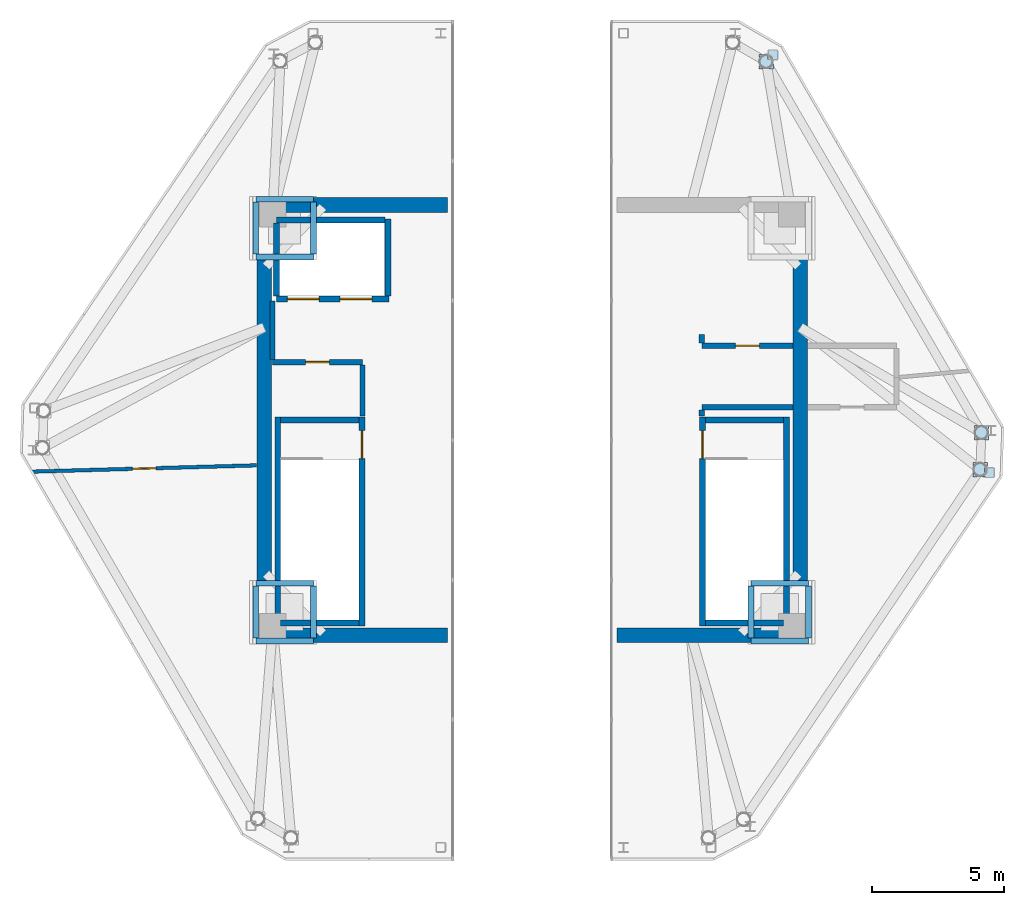
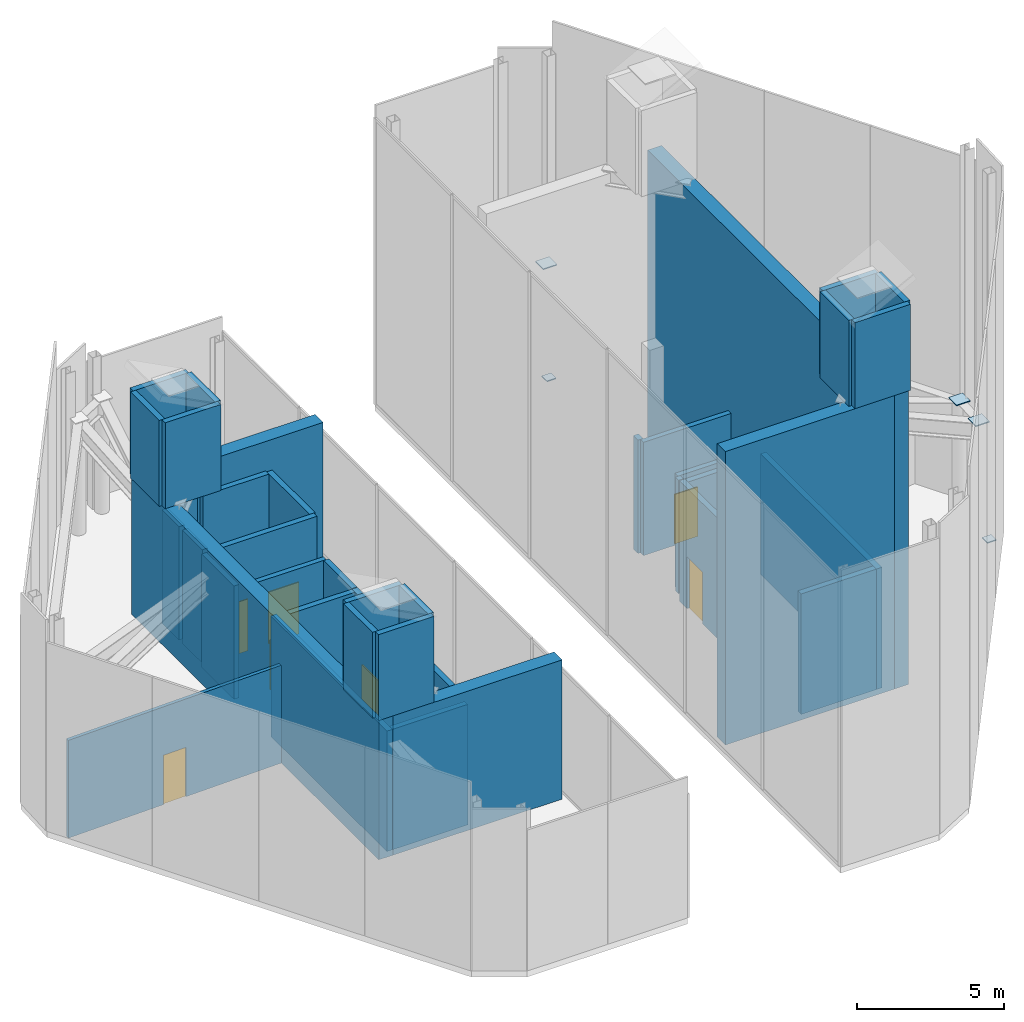
# One storey, part 7 of 9: 39 walls, 7 doors, 5 plates, 7 openings.
"""IFC4 building model written with IfcOpenShell, lengths in metres."""

from ifc_helpers import new_model, si_unit, direction, frame, frame_2d, origin, origin_2d, place, context, subcontext, project, spatial, rectangle, extrude, source, transform, mapped, material, layer, layer_set, type_object, type_shapes, element, fill, save


model = new_model("IFC4")

# Units and contexts
model_context = context("Model", 3, precision=1e-05, world=origin(), true_north=direction((0.0, 1.0)))
body_context = subcontext(model_context, "Body", "Model", "MODEL_VIEW")
ifc_project = project(units=[si_unit("LENGTHUNIT", "METRE"), si_unit("AREAUNIT", "SQUARE_METRE"), si_unit("VOLUMEUNIT", "CUBIC_METRE"), si_unit("PLANEANGLEUNIT", "RADIAN"), si_unit("MASSUNIT", "GRAM", prefix="KILO")], contexts=[model_context])

# Site, building, storey
site_placement = place(None, origin())
site = spatial("IfcSite", under=ifc_project, at=site_placement, CompositionType="ELEMENT")
building_placement = place(site_placement, origin())
building = spatial("IfcBuilding", under=site, at=building_placement, Name="Durnholm Broadcast Tower", CompositionType="ELEMENT")
storey_placement = place(building_placement, frame((0.0, 0.0, 287.0)))
storey = spatial("IfcBuildingStorey", under=building, at=storey_placement, Name="L79", CompositionType="ELEMENT", Elevation=287.0)

# Plates
ifc_material_1 = material(Name="Steel ASTM A572 Grade 50", Category="steel")
ifc_layer_1 = layer(ifc_material_1, 0.0400390625)
ifc_layer_set_1 = layer_set([ifc_layer_1], Name="Steel ASTM A572 Grade 50")
plate_type = type_object("IfcPlateType", Name="PLT-KN-CAP", PredefinedType="USERDEFINED", material=ifc_layer_set_1)
shared_shape_1 = source(origin(), body_context, "Body", "SweptSolid", [
    extrude(rectangle(XDim=0.5400390625, YDim=0.5400390625, at=origin_2d()), origin(), (0.0, 0.0, 1.0), 0.0400390625),
])
for number, where, z_axis, x_axis, name in (
    (1, (8.83740234375, 13.53759765625, 4.699951171875), (0.0, 0.0, 1.0), (1.0, 0.0, 0.0), "L79 hollow section end cap plate COL-TUBE-L79-07 2"),
    (2, (16.97021484375, -0.47607421875, 4.699951171875), (0.0, 0.0, 1.0), (1.0, 0.0, 0.0), "L79 hollow section end cap plate COL-TUBE-L79-08 2"),
    (3, (16.92236328125, -1.869873046875, 4.699951171875), (0.0, 0.0, 1.0), (1.0, 0.0, 0.0), "L79 hollow section end cap plate COL-TUBE-L79-09 2"),
):
    element("IfcPlate", number, at=place(storey_placement, frame(where, z_axis=z_axis, x_axis=x_axis)), inside=storey, type_object=plate_type, Name=name, ObjectType="CAP_PLATE", PredefinedType="USERDEFINED", context=body_context, shape_type="MappedRepresentation", body=[
        mapped(shared_shape_1, transform((0.0, 0.0, 0.0), x_axis=(1.0, 0.0, 0.0), y_axis=(0.0, 1.0, 0.0), z_axis=(0.0, 0.0, 1.0), scale=1.0)),
    ])
shared_shape_2 = source(origin(), body_context, "Body", "SweptSolid", [
    extrude(rectangle(XDim=0.360107421875, YDim=0.360107421875, at=origin_2d()), origin(), (0.0, 0.0, 1.0), 0.0400390625),
])
type_shapes(plate_type, [shared_shape_1, shared_shape_2])
for number, where, z_axis, x_axis, name in (
    (4, (17.268798828125, -1.982421875, -0.280029296875), (0.0, 0.0, 1.0), (1.0, 0.0, 0.0), "L79 hollow section base cap plate CF-POST-L79-E-5"),
    (5, (9.09326171875, 13.794189453125, -0.280029296875), (0.0, 0.0, 1.0), (1.0, 0.0, 0.0), "L79 hollow section base cap plate CF-POST-L79-E-7"),
):
    element("IfcPlate", number, at=place(storey_placement, frame(where, z_axis=z_axis, x_axis=x_axis)), inside=storey, type_object=plate_type, Name=name, ObjectType="CAP_PLATE", PredefinedType="USERDEFINED", context=body_context, shape_type="MappedRepresentation", body=[
        mapped(shared_shape_2, transform((0.0, 0.0, 0.0), x_axis=(1.0, 0.0, 0.0), y_axis=(0.0, 1.0, 0.0), z_axis=(0.0, 0.0, 1.0), scale=1.0)),
    ])

# Walls
ifc_material_2 = material(Name="Concrete C70/85", Category="concrete")
ifc_layer_2 = layer(ifc_material_2, 0.550048828125)
ifc_layer_set_2 = layer_set([ifc_layer_2], Name="Concrete C70/85")
wall_type_1 = type_object("IfcWallType", Name="WALL-CW-550", PredefinedType="SHEAR", material=ifc_layer_set_2)
wall_1_placement = place(storey_placement, frame((-10.125, -8.39990234375, 0.0), z_axis=(0.0, 0.0, 1.0), x_axis=(0.0, 1.0, 0.0)))
element("IfcWall", 6, at=wall_1_placement, inside=storey, type_object=wall_type_1, Name="L79 split-crown core shear wall WCW-W", PredefinedType="SHEAR", context=body_context, shape_type="SweptSolid", body=[
    extrude(rectangle(XDim=16.7998046875, YDim=0.550048828125, at=frame_2d((8.39990234375, 0.0))), origin(), (0.0, 0.0, 1.0), 5.780029296875),
])
wall_2_placement = place(storey_placement, frame((10.125, -8.39990234375, 0.0), z_axis=(0.0, 0.0, 1.0), x_axis=(0.0, 1.0, 0.0)))
element("IfcWall", 7, at=wall_2_placement, inside=storey, type_object=wall_type_1, Name="L79 split-crown core shear wall WCW-E", PredefinedType="SHEAR", context=body_context, shape_type="SweptSolid", body=[
    extrude(rectangle(XDim=16.7998046875, YDim=0.550048828125, at=frame_2d((8.39990234375, 0.0))), origin(), (0.0, 0.0, 1.0), 12.179931640625),
])
wall_3_placement = place(storey_placement, frame((-9.85009765625, -8.125, 0.0), z_axis=(0.0, 0.0, 1.0), x_axis=(1.0, 0.0, 0.0)))
element("IfcWall", 8, at=wall_3_placement, inside=storey, type_object=wall_type_1, Name="L79 split-crown core shear wall WCW-SW", PredefinedType="SHEAR", context=body_context, shape_type="SweptSolid", body=[
    extrude(rectangle(XDim=6.650146484375, YDim=0.550048828125, at=frame_2d((3.3251953125, 0.0))), origin(), (0.0, 0.0, 1.0), 5.780029296875),
])
wall_4_placement = place(storey_placement, frame((3.199951171875, -8.125, 0.0), z_axis=(0.0, 0.0, 1.0), x_axis=(1.0, 0.0, 0.0)))
element("IfcWall", 9, at=wall_4_placement, inside=storey, type_object=wall_type_1, Name="L79 split-crown core shear wall WCW-SE", PredefinedType="SHEAR", context=body_context, shape_type="SweptSolid", body=[
    extrude(rectangle(XDim=6.650146484375, YDim=0.550048828125, at=frame_2d((3.3251953125, 0.0))), origin(), (0.0, 0.0, 1.0), 12.179931640625),
])
wall_5_placement = place(storey_placement, frame((-9.85009765625, 8.125, 0.0), z_axis=(0.0, 0.0, 1.0), x_axis=(1.0, 0.0, 0.0)))
element("IfcWall", 10, at=wall_5_placement, inside=storey, type_object=wall_type_1, Name="L79 split-crown core shear wall WCW-NW", PredefinedType="SHEAR", context=body_context, shape_type="SweptSolid", body=[
    extrude(rectangle(XDim=6.650146484375, YDim=0.550048828125, at=frame_2d((3.3251953125, 0.0))), origin(), (0.0, 0.0, 1.0), 5.780029296875),
])

# Wall, opening, door
ifc_material_3 = material(Name="Fire-Rated Gypsum Shaftwall", Category="concrete")
ifc_layer_3 = layer(ifc_material_3, 0.199951171875)
ifc_layer_set_3 = layer_set([ifc_layer_3], Name="Fire-Rated Gypsum Shaftwall")
wall_type_2 = type_object("IfcWallType", Name="WALL-LOB-200", PredefinedType="SOLIDWALL", material=ifc_layer_set_3)
wall_6_placement = place(storey_placement, frame((-9.81005859375, 2.18994140625, 0.0), z_axis=(0.0, 0.0, 1.0), x_axis=(1.0, 0.0, 0.0)))
wall_6 = element("IfcWall", 11, at=wall_6_placement, inside=storey, type_object=wall_type_2, Name="L79 Crown Chiller and Heat Rejection Plant corridor partition", PredefinedType="SOLIDWALL", context=body_context, shape_type="SweptSolid", body=[
    extrude(rectangle(XDim=3.400146484375, YDim=0.199951171875, at=frame_2d((1.7001953125, 0.0))), origin(), (0.0, 0.0, 1.0), 4.705078125),
])
opening_1_placement = place(wall_6_placement, frame((1.25, 0.0, 0.0)))
opening_1 = element("IfcOpeningElement", 12, at=opening_1_placement, cuts=wall_6, Name="Opening DC-60L", PredefinedType="OPENING", context=body_context, shape_type="SweptSolid", body=[
    extrude(rectangle(XDim=0.89990234375, YDim=2.050048828125, at=frame_2d((0.449951171875, 1.02490234375))), frame((0.0, 0.10986328125, 0.0), z_axis=(0.0, -1.0, 0.0), x_axis=(1.0, 0.0, 0.0)), (0.0, 0.0, 1.0), 0.219970703125),
])
ifc_material_4 = material(Name="Fire-Rated Core Service Door", Category="steel")
ifc_layer_4 = layer(ifc_material_4, 0.050048828125)
ifc_layer_set_4 = layer_set([ifc_layer_4], Name="Fire-Rated Core Service Door")
door_type_1 = type_object("IfcDoorType", Name="DOOR-CORE-FD60-L", OperationType="NOTDEFINED", PredefinedType="DOOR", material=ifc_layer_set_4)
shared_shape_3 = source(origin(), body_context, "Body", "SweptSolid", [
    extrude(rectangle(XDim=0.89990234375, YDim=2.050048828125, at=frame_2d((0.449951171875, 1.02490234375))), frame((0.0, 0.02490234375, 0.0), z_axis=(0.0, -1.0, 0.0), x_axis=(1.0, 0.0, 0.0)), (0.0, 0.0, 1.0), 0.050048828125),
])
type_shapes(door_type_1, [shared_shape_3])
door_1_placement = place(opening_1_placement, origin())
door_1 = element("IfcDoor", 13, at=door_1_placement, inside=storey, type_object=door_type_1, Name="L79 Crown Chiller and Heat Rejection Plant entrance door", OperationType="SINGLE_SWING_LEFT", OverallHeight=2.050048828125, OverallWidth=0.89990234375, PredefinedType="DOOR", context=body_context, shape_type="MappedRepresentation", body=[
    mapped(shared_shape_3, transform((0.0, 0.0, 0.0), x_axis=(1.0, 0.0, 0.0), y_axis=(0.0, 1.0, 0.0), z_axis=(0.0, 0.0, 1.0), scale=1.0)),
])
fill(opening_1, door_1)

# Walls
wall_7_placement = place(storey_placement, frame((-9.81005859375, 4.489990234375, 0.0), z_axis=(0.0, 0.0, 1.0), x_axis=(0.0, -1.0, 0.0)))
element("IfcWall", 14, at=wall_7_placement, inside=storey, type_object=wall_type_2, Name="L79 Crown Chiller and Heat Rejection Plant corridor partition", PredefinedType="SOLIDWALL", context=body_context, shape_type="SweptSolid", body=[
    extrude(rectangle(XDim=2.196044921875, YDim=0.199951171875, at=frame_2d((1.09814453125, 0.0))), origin(), (0.0, 0.0, 1.0), 4.705078125),
])
wall_8_placement = place(storey_placement, frame((-6.409912109375, 2.0859375, 0.0), z_axis=(0.0, 0.0, 1.0), x_axis=(0.0, -1.0, 0.0)))
element("IfcWall", 15, at=wall_8_placement, inside=storey, type_object=wall_type_2, Name="L79 Crown Chiller and Heat Rejection Plant corridor partition", PredefinedType="SOLIDWALL", context=body_context, shape_type="SweptSolid", body=[
    extrude(rectangle(XDim=1.926025390625, YDim=0.199951171875, at=frame_2d((0.962890625, 0.0))), origin(), (0.0, 0.0, 1.0), 4.705078125),
])

# Wall, opening, door
wall_9_placement = place(storey_placement, frame((9.844970703125, 2.81005859375, 0.0), z_axis=(0.0, 0.0, 1.0), x_axis=(-1.0, 0.0, 0.0)))
wall_9 = element("IfcWall", 16, at=wall_9_placement, inside=storey, type_object=wall_type_2, Name="L79 Crown Electrical Switchgear Plant corridor partition", PredefinedType="SOLIDWALL", context=body_context, shape_type="SweptSolid", body=[
    extrude(rectangle(XDim=3.43505859375, YDim=0.199951171875, at=frame_2d((1.717529296875, 0.0))), origin(), (0.0, 0.0, 1.0), 4.705078125),
])
opening_2_placement = place(wall_9_placement, frame((1.267578125, 0.0, 0.0)))
opening_2 = element("IfcOpeningElement", 17, at=opening_2_placement, cuts=wall_9, Name="Opening DC-60R", PredefinedType="OPENING", context=body_context, shape_type="SweptSolid", body=[
    extrude(rectangle(XDim=0.89990234375, YDim=2.050048828125, at=frame_2d((0.449951171875, 1.02490234375))), frame((0.0, 0.10986328125, 0.0), z_axis=(0.0, -1.0, 0.0), x_axis=(1.0, 0.0, 0.0)), (0.0, 0.0, 1.0), 0.219970703125),
])
ifc_layer_5 = layer(ifc_material_4, 0.050048828125)
ifc_layer_set_5 = layer_set([ifc_layer_5], Name="Fire-Rated Core Service Door")
door_type_2 = type_object("IfcDoorType", Name="DOOR-CORE-FD60-R", OperationType="NOTDEFINED", PredefinedType="DOOR", material=ifc_layer_set_5)
shared_shape_4 = source(origin(), body_context, "Body", "SweptSolid", [
    extrude(rectangle(XDim=0.89990234375, YDim=2.050048828125, at=frame_2d((0.449951171875, 1.02490234375))), frame((0.0, 0.02490234375, 0.0), z_axis=(0.0, -1.0, 0.0), x_axis=(1.0, 0.0, 0.0)), (0.0, 0.0, 1.0), 0.050048828125),
])
type_shapes(door_type_2, [shared_shape_4])
door_2_placement = place(opening_2_placement, origin())
door_2 = element("IfcDoor", 18, at=door_2_placement, inside=storey, type_object=door_type_2, Name="L79 Crown Electrical Switchgear Plant entrance door", OperationType="SINGLE_SWING_RIGHT", OverallHeight=2.050048828125, OverallWidth=0.89990234375, PredefinedType="DOOR", context=body_context, shape_type="MappedRepresentation", body=[
    mapped(shared_shape_4, transform((0.0, 0.0, 0.0), x_axis=(1.0, 0.0, 0.0), y_axis=(0.0, 1.0, 0.0), z_axis=(0.0, 0.0, 1.0), scale=1.0)),
])
fill(opening_2, door_2)

# Walls
wall_10_placement = place(storey_placement, frame((6.409912109375, 2.9140625, 0.0), z_axis=(0.0, 0.0, 1.0), x_axis=(0.0, 1.0, 0.0)))
element("IfcWall", 19, at=wall_10_placement, inside=storey, type_object=wall_type_2, Name="L79 Crown Electrical Switchgear Plant corridor partition", PredefinedType="SOLIDWALL", context=body_context, shape_type="SweptSolid", body=[
    extrude(rectangle(XDim=0.325927734375, YDim=0.199951171875, at=frame_2d((0.1630859375, 0.0))), origin(), (0.0, 0.0, 1.0), 4.705078125),
])
wall_11_placement = place(storey_placement, frame((6.409912109375, 0.489990234375, 0.0), z_axis=(0.0, 0.0, 1.0), x_axis=(1.0, 0.0, 0.0)))
element("IfcWall", 20, at=wall_11_placement, inside=storey, type_object=wall_type_2, Name="L79 Crown Telecom Cooling Plant corridor partition", PredefinedType="SOLIDWALL", context=body_context, shape_type="SweptSolid", body=[
    extrude(rectangle(XDim=3.43505859375, YDim=0.199951171875, at=frame_2d((1.717529296875, 0.0))), origin(), (0.0, 0.0, 1.0), 4.705078125),
])
wall_12_placement = place(storey_placement, frame((6.409912109375, 0.159912109375, 0.0), z_axis=(0.0, 0.0, 1.0), x_axis=(0.0, 1.0, 0.0)))
element("IfcWall", 21, at=wall_12_placement, inside=storey, type_object=wall_type_2, Name="L79 Crown Telecom Cooling Plant corridor partition", PredefinedType="SOLIDWALL", context=body_context, shape_type="SweptSolid", body=[
    extrude(rectangle(XDim=0.22607421875, YDim=0.199951171875, at=frame_2d((0.113037109375, 0.0))), origin(), (0.0, 0.0, 1.0), 4.705078125),
])

# Wall, opening, door
ifc_material_5 = material(Name="Gypsum Metal Stud Partition", Category="concrete")
ifc_layer_6 = layer(ifc_material_5, 0.135009765625)
ifc_layer_set_6 = layer_set([ifc_layer_6], Name="Gypsum Metal Stud Partition")
wall_type_3 = type_object("IfcWallType", Name="WALL-PART-135", PredefinedType="PARTITIONING", material=ifc_layer_set_6)
wall_13_placement = place(storey_placement, frame((-10.405029296875, -1.7080078125, 0.0), z_axis=(0.0, 0.0, 1.0), x_axis=(-0.999607454952, -0.028016709362, 0.0)))
wall_13 = element("IfcWall", 22, at=wall_13_placement, inside=storey, type_object=wall_type_3, Name="L79 room dividing partition 1.2", PredefinedType="PARTITIONING", context=body_context, shape_type="SweptSolid", body=[
    extrude(rectangle(XDim=8.496337890625, YDim=0.135009765625, at=frame_2d((4.248046875, 0.0))), origin(), (0.0, 0.0, 1.0), 4.058837890625),
])
opening_3_placement = place(wall_13_placement, frame((3.798095703125, 0.0, 0.0)))
opening_3 = element("IfcOpeningElement", 23, at=opening_3_placement, cuts=wall_13, Name="Opening DW-90L", PredefinedType="OPENING", context=body_context, shape_type="SweptSolid", body=[
    extrude(rectangle(XDim=0.89990234375, YDim=2.050048828125, at=frame_2d((0.449951171875, 1.02490234375))), frame((0.0, 0.07763671875, 0.0), z_axis=(0.0, -1.0, 0.0), x_axis=(1.0, 0.0, 0.0)), (0.0, 0.0, 1.0), 0.155029296875),
])
ifc_material_6 = material(Name="Laminate Restroom Door", Category="steel")
ifc_layer_7 = layer(ifc_material_6, 0.050048828125)
ifc_layer_set_7 = layer_set([ifc_layer_7], Name="Laminate Restroom Door")
door_type_3 = type_object("IfcDoorType", Name="DOOR-WC-900L", OperationType="NOTDEFINED", PredefinedType="DOOR", material=ifc_layer_set_7)
shared_shape_5 = source(origin(), body_context, "Body", "SweptSolid", [
    extrude(rectangle(XDim=0.89990234375, YDim=2.050048828125, at=frame_2d((0.449951171875, 1.02490234375))), frame((0.0, 0.02490234375, 0.0), z_axis=(0.0, -1.0, 0.0), x_axis=(1.0, 0.0, 0.0)), (0.0, 0.0, 1.0), 0.050048828125),
])
type_shapes(door_type_3, [shared_shape_5])
door_3_placement = place(opening_3_placement, origin())
door_3 = element("IfcDoor", 24, at=door_3_placement, inside=storey, type_object=door_type_3, Name="L79 Crown Air Handling Fan Plant connecting door", OperationType="SINGLE_SWING_LEFT", OverallHeight=2.050048828125, OverallWidth=0.89990234375, PredefinedType="DOOR", context=body_context, shape_type="MappedRepresentation", body=[
    mapped(shared_shape_5, transform((0.0, 0.0, 0.0), x_axis=(1.0, 0.0, 0.0), y_axis=(0.0, 1.0, 0.0), z_axis=(0.0, 0.0, 1.0), scale=1.0)),
])
fill(opening_3, door_3)

# Wall, openings, doors
ifc_material_7 = material(Name="Concrete Blockwork C30/37", Category="masonry")
ifc_layer_8 = layer(ifc_material_7, 0.219970703125)
ifc_layer_set_8 = layer_set([ifc_layer_8], Name="Concrete Blockwork C30/37")
wall_type_4 = type_object("IfcWallType", Name="WALL-SHAFT-220", PredefinedType="SOLIDWALL", material=ifc_layer_set_8)
wall_14_placement = place(storey_placement, frame((-9.659912109375, 4.580078125, 0.0), z_axis=(0.0, 0.0, 1.0), x_axis=(1.0, 0.0, 0.0)))
wall_14 = element("IfcWall", 25, at=wall_14_placement, inside=storey, type_object=wall_type_4, Name="L79 crown FSAE hoistway front wall", PredefinedType="SOLIDWALL", context=body_context, shape_type="SweptSolid", body=[
    extrude(rectangle(XDim=4.260009765625, YDim=0.219970703125, at=frame_2d((2.1298828125, 0.0))), origin(), (0.0, 0.0, 1.0), 4.705078125),
])
opening_4_placement = place(wall_14_placement, frame((0.409912109375, 0.0, 0.0)))
opening_4 = element("IfcOpeningElement", 26, at=opening_4_placement, cuts=wall_14, Name="Opening LD-FSAE-2", PredefinedType="OPENING", context=body_context, shape_type="SweptSolid", body=[
    extrude(rectangle(XDim=1.199951171875, YDim=2.14990234375, at=frame_2d((0.60009765625, 1.074951171875))), frame((0.0, 0.1201171875, 0.0), z_axis=(0.0, -1.0, 0.0), x_axis=(1.0, 0.0, 0.0)), (0.0, 0.0, 1.0), 0.239990234375),
])
opening_5_placement = place(wall_14_placement, frame((2.409912109375, 0.0, 0.0)))
opening_5 = element("IfcOpeningElement", 27, at=opening_5_placement, cuts=wall_14, Name="Opening LD-FSAE-1", PredefinedType="OPENING", context=body_context, shape_type="SweptSolid", body=[
    extrude(rectangle(XDim=1.199951171875, YDim=2.14990234375, at=frame_2d((0.60009765625, 1.074951171875))), frame((0.0, 0.1201171875, 0.0), z_axis=(0.0, -1.0, 0.0), x_axis=(1.0, 0.0, 0.0)), (0.0, 0.0, 1.0), 0.239990234375),
])
ifc_material_8 = material(Name="Fire Service Access Sliding Landing Door", Category="steel")
ifc_layer_9 = layer(ifc_material_8, 0.050048828125)
ifc_layer_set_9 = layer_set([ifc_layer_9], Name="Fire Service Access Sliding Landing Door")
door_type_4 = type_object("IfcDoorType", Name="DOOR-LIFT-FSAE", OperationType="DOUBLE_DOOR_SLIDING", PredefinedType="DOOR", material=ifc_layer_set_9)
shared_shape_6 = source(origin(), body_context, "Body", "SweptSolid", [
    extrude(rectangle(XDim=1.199951171875, YDim=2.14990234375, at=frame_2d((0.60009765625, 1.074951171875))), frame((0.0, 0.02490234375, 0.0), z_axis=(0.0, -1.0, 0.0), x_axis=(1.0, 0.0, 0.0)), (0.0, 0.0, 1.0), 0.050048828125),
])
type_shapes(door_type_4, [shared_shape_6])
door_4_placement = place(opening_4_placement, origin())
door_4 = element("IfcDoor", 28, at=door_4_placement, inside=storey, type_object=door_type_4, Name="L79 crown Fire Service Access Elevator FSAE-2 sliding landing door", OperationType="DOUBLE_DOOR_SLIDING", OverallHeight=2.14990234375, OverallWidth=1.199951171875, PredefinedType="DOOR", context=body_context, shape_type="MappedRepresentation", body=[
    mapped(shared_shape_6, transform((0.0, 0.0, 0.0), x_axis=(1.0, 0.0, 0.0), y_axis=(0.0, 1.0, 0.0), z_axis=(0.0, 0.0, 1.0), scale=1.0)),
])
fill(opening_4, door_4)
door_5_placement = place(opening_5_placement, origin())
door_5 = element("IfcDoor", 29, at=door_5_placement, inside=storey, type_object=door_type_4, Name="L79 crown Fire Service Access Elevator FSAE-1 sliding landing door", OperationType="DOUBLE_DOOR_SLIDING", OverallHeight=2.14990234375, OverallWidth=1.199951171875, PredefinedType="DOOR", context=body_context, shape_type="MappedRepresentation", body=[
    mapped(shared_shape_6, transform((0.0, 0.0, 0.0), x_axis=(1.0, 0.0, 0.0), y_axis=(0.0, 1.0, 0.0), z_axis=(0.0, 0.0, 1.0), scale=1.0)),
])
fill(opening_5, door_5)

# Walls
wall_15_placement = place(storey_placement, frame((-5.449951171875, 4.694091796875, 0.0), z_axis=(0.0, 0.0, 1.0), x_axis=(0.0, 1.0, 0.0)))
element("IfcWall", 30, at=wall_15_placement, inside=storey, type_object=wall_type_4, Name="L79 crown FSAE east shaft wall", PredefinedType="SOLIDWALL", context=body_context, shape_type="SweptSolid", body=[
    extrude(rectangle(XDim=2.906005859375, YDim=0.219970703125, at=frame_2d((1.453125, 0.0))), origin(), (0.0, 0.0, 1.0), 4.705078125),
])
wall_16_placement = place(storey_placement, frame((-9.659912109375, 7.56005859375, 0.0), z_axis=(0.0, 0.0, 1.0), x_axis=(1.0, 0.0, 0.0)))
element("IfcWall", 31, at=wall_16_placement, inside=storey, type_object=wall_type_4, Name="L79 crown FSAE north shaft wall", PredefinedType="SOLIDWALL", context=body_context, shape_type="SweptSolid", body=[
    extrude(rectangle(XDim=1.284912109375, YDim=0.219970703125, at=frame_2d((0.642578125, 0.0))), origin(), (0.0, 0.0, 1.0), 4.705078125),
])
wall_17_placement = place(storey_placement, frame((-8.14501953125, 7.56005859375, 0.0), z_axis=(0.0, 0.0, 1.0), x_axis=(1.0, 0.0, 0.0)))
element("IfcWall", 32, at=wall_17_placement, inside=storey, type_object=wall_type_4, Name="L79 crown FSAE north shaft wall", PredefinedType="SOLIDWALL", context=body_context, shape_type="SweptSolid", body=[
    extrude(rectangle(XDim=2.5810546875, YDim=0.219970703125, at=frame_2d((1.29052734375, 0.0))), origin(), (0.0, 0.0, 1.0), 4.705078125),
])
wall_18_placement = place(storey_placement, frame((-9.659912109375, 4.694091796875, 0.0), z_axis=(0.0, 0.0, 1.0), x_axis=(0.0, 1.0, 0.0)))
element("IfcWall", 33, at=wall_18_placement, inside=storey, type_object=wall_type_4, Name="L79 crown FSAE west shaft wall", PredefinedType="SOLIDWALL", context=body_context, shape_type="SweptSolid", body=[
    extrude(rectangle(XDim=1.350830078125, YDim=0.219970703125, at=frame_2d((0.67529296875, 0.0))), origin(), (0.0, 0.0, 1.0), 4.705078125),
])
wall_19_placement = place(storey_placement, frame((-9.659912109375, 6.27490234375, 0.0), z_axis=(0.0, 0.0, 1.0), x_axis=(0.0, 1.0, 0.0)))
element("IfcWall", 34, at=wall_19_placement, inside=storey, type_object=wall_type_4, Name="L79 crown FSAE west shaft wall", PredefinedType="SOLIDWALL", context=body_context, shape_type="SweptSolid", body=[
    extrude(rectangle(XDim=1.171142578125, YDim=0.219970703125, at=frame_2d((0.58544921875, 0.0))), origin(), (0.0, 0.0, 1.0), 4.705078125),
])

# Wall, opening, door
ifc_material_9 = material(Name="Concrete C50/60", Category="concrete")
ifc_layer_10 = layer(ifc_material_9, 0.219970703125)
ifc_layer_set_10 = layer_set([ifc_layer_10], Name="Concrete C50/60")
wall_type_5 = type_object("IfcWallType", Name="WALL-SW-220", PredefinedType="SHEAR", material=ifc_layer_set_10)
wall_20_placement = place(storey_placement, frame((-6.429931640625, -7.77001953125, -0.280029296875), z_axis=(0.0, 0.0, 1.0), x_axis=(0.0, 1.0, 0.0)))
wall_20 = element("IfcWall", 35, at=wall_20_placement, inside=storey, type_object=wall_type_5, Name="L79 stair ST-1 structural shaft wall E", PredefinedType="SHEAR", context=body_context, shape_type="SweptSolid", body=[
    extrude(rectangle(XDim=7.89013671875, YDim=0.219970703125, at=frame_2d((3.945068359375, 0.0))), origin(), (0.0, 0.0, 1.0), 5.0),
])
opening_6_placement = place(wall_20_placement, frame((6.320068359375, 0.0, 0.0)))
opening_6 = element("IfcOpeningElement", 36, at=opening_6_placement, cuts=wall_20, Name="Opening DS-90L", PredefinedType="OPENING", context=body_context, shape_type="SweptSolid", body=[
    extrude(rectangle(XDim=1.050048828125, YDim=2.14990234375, at=frame_2d((0.52490234375, 1.074951171875))), frame((0.0, 0.1201171875, 0.0), z_axis=(0.0, -1.0, 0.0), x_axis=(1.0, 0.0, 0.0)), (0.0, 0.0, 1.0), 0.239990234375),
])
ifc_material_10 = material(Name="Fire-Rated Steel Door", Category="steel")
ifc_layer_11 = layer(ifc_material_10, 0.050048828125)
ifc_layer_set_11 = layer_set([ifc_layer_11], Name="Fire-Rated Steel Door")
door_type_5 = type_object("IfcDoorType", Name="DOOR-ST-FD90-L", OperationType="NOTDEFINED", PredefinedType="DOOR", material=ifc_layer_set_11)
shared_shape_7 = source(origin(), body_context, "Body", "SweptSolid", [
    extrude(rectangle(XDim=1.050048828125, YDim=2.14990234375, at=frame_2d((0.52490234375, 1.074951171875))), frame((0.0, 0.02490234375, 0.0), z_axis=(0.0, -1.0, 0.0), x_axis=(1.0, 0.0, 0.0)), (0.0, 0.0, 1.0), 0.050048828125),
])
type_shapes(door_type_5, [shared_shape_7])
door_6_placement = place(opening_6_placement, origin())
door_6 = element("IfcDoor", 37, at=door_6_placement, inside=storey, type_object=door_type_5, Name="L79 exit stair ST-1 fire door", OperationType="SINGLE_SWING_LEFT", OverallHeight=2.14990234375, OverallWidth=1.050048828125, PredefinedType="DOOR", context=body_context, shape_type="MappedRepresentation", body=[
    mapped(shared_shape_7, transform((0.0, 0.0, 0.0), x_axis=(1.0, 0.0, 0.0), y_axis=(0.0, 1.0, 0.0), z_axis=(0.0, 0.0, 1.0), scale=1.0)),
])
fill(opening_6, door_6)

# Walls
wall_21_placement = place(storey_placement, frame((-9.610107421875, 0.1201171875, -0.280029296875), z_axis=(0.0, 0.0, 1.0), x_axis=(0.0, -1.0, 0.0)))
element("IfcWall", 38, at=wall_21_placement, inside=storey, type_object=wall_type_5, Name="L79 stair ST-1 structural shaft wall W", PredefinedType="SHEAR", context=body_context, shape_type="SweptSolid", body=[
    extrude(rectangle(XDim=7.89013671875, YDim=0.219970703125, at=frame_2d((3.945068359375, 0.0))), origin(), (0.0, 0.0, 1.0), 5.0),
])
for number, where, z_axis, x_axis, name in (
    (39, (-9.5, -7.659912109375, -0.280029296875), (0.0, 0.0, 1.0), (1.0, 0.0, 0.0), "L79 stair ST-1 structural shaft wall S"),
    (40, (-6.5400390625, 0.010009765625, -0.280029296875), (0.0, 0.0, 1.0), (-1.0, 0.0, 0.0), "L79 stair ST-1 structural shaft wall N"),
):
    element("IfcWall", number, at=place(storey_placement, frame(where, z_axis=z_axis, x_axis=x_axis)), inside=storey, type_object=wall_type_5, Name=name, PredefinedType="SHEAR", context=body_context, shape_type="SweptSolid", body=[
        extrude(rectangle(XDim=2.9599609375, YDim=0.219970703125, at=frame_2d((1.47998046875, 0.0))), origin(), (0.0, 0.0, 1.0), 5.0),
    ])
wall_22_placement = place(storey_placement, frame((9.610107421875, -7.77001953125, -0.280029296875), z_axis=(0.0, 0.0, 1.0), x_axis=(0.0, 1.0, 0.0)))
element("IfcWall", 41, at=wall_22_placement, inside=storey, type_object=wall_type_5, Name="L79 stair ST-2 structural shaft wall E", PredefinedType="SHEAR", context=body_context, shape_type="SweptSolid", body=[
    extrude(rectangle(XDim=7.89013671875, YDim=0.219970703125, at=frame_2d((3.945068359375, 0.0))), origin(), (0.0, 0.0, 1.0), 5.0),
])

# Wall, opening, door
wall_23_placement = place(storey_placement, frame((6.429931640625, 0.1201171875, -0.280029296875), z_axis=(0.0, 0.0, 1.0), x_axis=(0.0, -1.0, 0.0)))
wall_23 = element("IfcWall", 42, at=wall_23_placement, inside=storey, type_object=wall_type_5, Name="L79 stair ST-2 structural shaft wall W", PredefinedType="SHEAR", context=body_context, shape_type="SweptSolid", body=[
    extrude(rectangle(XDim=7.89013671875, YDim=0.219970703125, at=frame_2d((3.945068359375, 0.0))), origin(), (0.0, 0.0, 1.0), 5.0),
])
opening_7_placement = place(wall_23_placement, frame((0.52001953125, 0.0, 0.0)))
opening_7 = element("IfcOpeningElement", 43, at=opening_7_placement, cuts=wall_23, Name="Opening DS-90R", PredefinedType="OPENING", context=body_context, shape_type="SweptSolid", body=[
    extrude(rectangle(XDim=1.050048828125, YDim=2.14990234375, at=frame_2d((0.52490234375, 1.074951171875))), frame((0.0, 0.1201171875, 0.0), z_axis=(0.0, -1.0, 0.0), x_axis=(1.0, 0.0, 0.0)), (0.0, 0.0, 1.0), 0.239990234375),
])
ifc_layer_12 = layer(ifc_material_10, 0.050048828125)
ifc_layer_set_12 = layer_set([ifc_layer_12], Name="Fire-Rated Steel Door")
door_type_6 = type_object("IfcDoorType", Name="DOOR-ST-FD90-R", OperationType="NOTDEFINED", PredefinedType="DOOR", material=ifc_layer_set_12)
shared_shape_8 = source(origin(), body_context, "Body", "SweptSolid", [
    extrude(rectangle(XDim=1.050048828125, YDim=2.14990234375, at=frame_2d((0.52490234375, 1.074951171875))), frame((0.0, 0.02490234375, 0.0), z_axis=(0.0, -1.0, 0.0), x_axis=(1.0, 0.0, 0.0)), (0.0, 0.0, 1.0), 0.050048828125),
])
type_shapes(door_type_6, [shared_shape_8])
door_7_placement = place(opening_7_placement, origin())
door_7 = element("IfcDoor", 44, at=door_7_placement, inside=storey, type_object=door_type_6, Name="L79 exit stair ST-2 fire door", OperationType="SINGLE_SWING_RIGHT", OverallHeight=2.14990234375, OverallWidth=1.050048828125, PredefinedType="DOOR", context=body_context, shape_type="MappedRepresentation", body=[
    mapped(shared_shape_8, transform((0.0, 0.0, 0.0), x_axis=(1.0, 0.0, 0.0), y_axis=(0.0, 1.0, 0.0), z_axis=(0.0, 0.0, 1.0), scale=1.0)),
])
fill(opening_7, door_7)

# Walls
for number, where, z_axis, x_axis, name in (
    (45, (6.5400390625, -7.659912109375, -0.280029296875), (0.0, 0.0, 1.0), (1.0, 0.0, 0.0), "L79 stair ST-2 structural shaft wall S"),
    (46, (9.5, 0.010009765625, -0.280029296875), (0.0, 0.0, 1.0), (-1.0, 0.0, 0.0), "L79 stair ST-2 structural shaft wall N"),
):
    element("IfcWall", number, at=place(storey_placement, frame(where, z_axis=z_axis, x_axis=x_axis)), inside=storey, type_object=wall_type_5, Name=name, PredefinedType="SHEAR", context=body_context, shape_type="SweptSolid", body=[
        extrude(rectangle(XDim=2.9599609375, YDim=0.219970703125, at=frame_2d((1.47998046875, 0.0))), origin(), (0.0, 0.0, 1.0), 5.0),
    ])
for number, where, z_axis, x_axis, name in (
    (47, (-10.43994140625, -8.340087890625, 5.820068359375), (0.0, 0.0, 1.0), (1.0, 0.0, 0.0), "L79 HOOD-1 overrun bulkhead structural wall S"),
    (48, (-10.43994140625, -6.159912109375, 5.820068359375), (0.0, 0.0, 1.0), (1.0, 0.0, 0.0), "L79 HOOD-1 overrun bulkhead structural wall N"),
):
    element("IfcWall", number, at=place(storey_placement, frame(where, z_axis=z_axis, x_axis=x_axis)), inside=storey, type_object=wall_type_5, Name=name, PredefinedType="SHEAR", context=body_context, shape_type="SweptSolid", body=[
        extrude(rectangle(XDim=2.179931640625, YDim=0.219970703125, at=frame_2d((1.08984375, 0.0))), origin(), (0.0, 0.0, 1.0), 3.56982421875),
    ])
for number, where, z_axis, x_axis, name in (
    (49, (-10.43994140625, -8.22998046875, 5.820068359375), (0.0, 0.0, 1.0), (0.0, 1.0, 0.0), "L79 HOOD-1 overrun bulkhead structural wall W"),
    (50, (-8.260009765625, -8.22998046875, 5.820068359375), (0.0, 0.0, 1.0), (0.0, 1.0, 0.0), "L79 HOOD-1 overrun bulkhead structural wall E"),
):
    element("IfcWall", number, at=place(storey_placement, frame(where, z_axis=z_axis, x_axis=x_axis)), inside=storey, type_object=wall_type_5, Name=name, PredefinedType="SHEAR", context=body_context, shape_type="SweptSolid", body=[
        extrude(rectangle(XDim=1.9599609375, YDim=0.219970703125, at=frame_2d((0.97998046875, 0.0))), origin(), (0.0, 0.0, 1.0), 3.56982421875),
    ])
for number, where, z_axis, x_axis, name in (
    (51, (-10.43994140625, 6.159912109375, 5.820068359375), (0.0, 0.0, 1.0), (1.0, 0.0, 0.0), "L79 HOOD-2 overrun bulkhead structural wall S"),
    (52, (-10.43994140625, 8.340087890625, 5.820068359375), (0.0, 0.0, 1.0), (1.0, 0.0, 0.0), "L79 HOOD-2 overrun bulkhead structural wall N"),
):
    element("IfcWall", number, at=place(storey_placement, frame(where, z_axis=z_axis, x_axis=x_axis)), inside=storey, type_object=wall_type_5, Name=name, PredefinedType="SHEAR", context=body_context, shape_type="SweptSolid", body=[
        extrude(rectangle(XDim=2.179931640625, YDim=0.219970703125, at=frame_2d((1.08984375, 0.0))), origin(), (0.0, 0.0, 1.0), 3.56982421875),
    ])
for number, where, z_axis, x_axis, name in (
    (53, (-10.43994140625, 6.27001953125, 5.820068359375), (0.0, 0.0, 1.0), (0.0, 1.0, 0.0), "L79 HOOD-2 overrun bulkhead structural wall W"),
    (54, (-8.260009765625, 6.27001953125, 5.820068359375), (0.0, 0.0, 1.0), (0.0, 1.0, 0.0), "L79 HOOD-2 overrun bulkhead structural wall E"),
):
    element("IfcWall", number, at=place(storey_placement, frame(where, z_axis=z_axis, x_axis=x_axis)), inside=storey, type_object=wall_type_5, Name=name, PredefinedType="SHEAR", context=body_context, shape_type="SweptSolid", body=[
        extrude(rectangle(XDim=1.9599609375, YDim=0.219970703125, at=frame_2d((0.97998046875, 0.0))), origin(), (0.0, 0.0, 1.0), 3.56982421875),
    ])
for number, where, z_axis, x_axis, name in (
    (55, (8.260009765625, -8.340087890625, 12.219970703125), (0.0, 0.0, 1.0), (1.0, 0.0, 0.0), "L79 HOOD-3 overrun bulkhead structural wall S"),
    (56, (8.260009765625, -6.159912109375, 12.219970703125), (0.0, 0.0, 1.0), (1.0, 0.0, 0.0), "L79 HOOD-3 overrun bulkhead structural wall N"),
):
    element("IfcWall", number, at=place(storey_placement, frame(where, z_axis=z_axis, x_axis=x_axis)), inside=storey, type_object=wall_type_5, Name=name, PredefinedType="SHEAR", context=body_context, shape_type="SweptSolid", body=[
        extrude(rectangle(XDim=2.179931640625, YDim=0.219970703125, at=frame_2d((1.08984375, 0.0))), origin(), (0.0, 0.0, 1.0), 3.570068359375),
    ])
for number, where, z_axis, x_axis, name in (
    (57, (8.260009765625, -8.22998046875, 12.219970703125), (0.0, 0.0, 1.0), (0.0, 1.0, 0.0), "L79 HOOD-3 overrun bulkhead structural wall W"),
    (58, (10.43994140625, -8.22998046875, 12.219970703125), (0.0, 0.0, 1.0), (0.0, 1.0, 0.0), "L79 HOOD-3 overrun bulkhead structural wall E"),
):
    element("IfcWall", number, at=place(storey_placement, frame(where, z_axis=z_axis, x_axis=x_axis)), inside=storey, type_object=wall_type_5, Name=name, PredefinedType="SHEAR", context=body_context, shape_type="SweptSolid", body=[
        extrude(rectangle(XDim=1.9599609375, YDim=0.219970703125, at=frame_2d((0.97998046875, 0.0))), origin(), (0.0, 0.0, 1.0), 3.570068359375),
    ])

save(model, "model.ifc")
